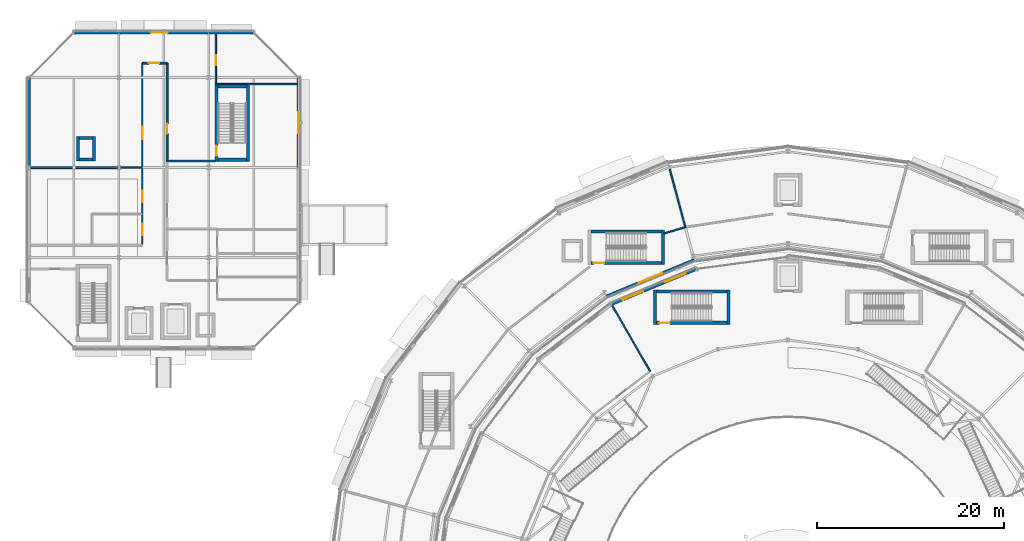
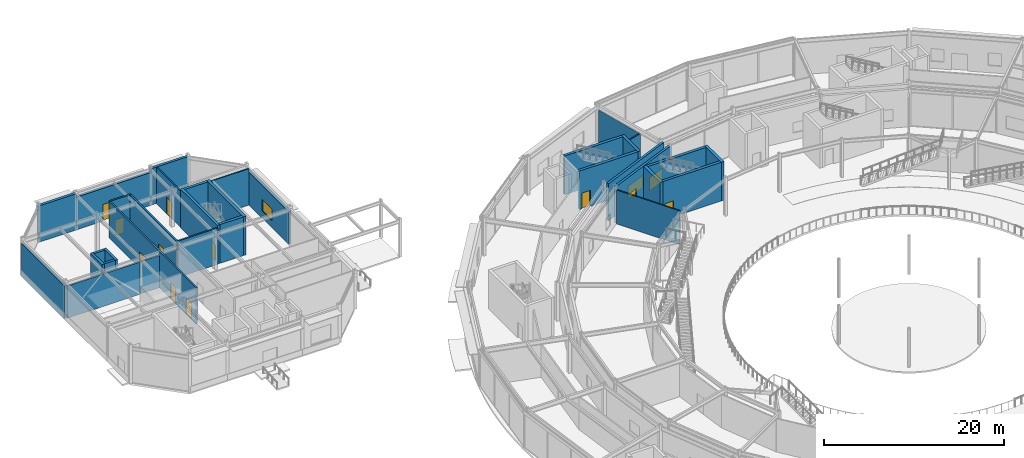
# One storey, part 124 of 168: 33 walls, 10 doors, 4 windows, 14 openings.
"""IFC4 building model written with IfcOpenShell, lengths in metres."""

from ifc_helpers import new_model, si_unit, direction, frame, frame_2d, origin, place, context, subcontext, project, spatial, rectangle, extrude, material, layer, layer_set, type_object, element, fill, save


model = new_model("IFC4")

# Units and contexts
model_context = context("Model", 3, precision=1e-05, world=origin(), true_north=direction((0.0, 1.0)))
body_context = subcontext(model_context, "Body", "Model", "MODEL_VIEW")
ifc_project = project(units=[si_unit("LENGTHUNIT", "METRE"), si_unit("AREAUNIT", "SQUARE_METRE"), si_unit("VOLUMEUNIT", "CUBIC_METRE"), si_unit("PLANEANGLEUNIT", "RADIAN"), si_unit("MASSUNIT", "GRAM", prefix="KILO")], contexts=[model_context])

# Site, building, storey
site_placement = place(None, origin())
site = spatial("IfcSite", under=ifc_project, at=site_placement, CompositionType="ELEMENT")
building_placement = place(site_placement, origin())
building = spatial("IfcBuilding", under=site, at=building_placement, Name="Almandine Court Research Institute", CompositionType="ELEMENT")
storey_placement = place(building_placement, origin())
storey = spatial("IfcBuildingStorey", under=building, at=storey_placement, Name="L00", CompositionType="ELEMENT", Elevation=0.0)

# Walls
ifc_material_1 = material(Name="Air-Sealed Cleanroom Envelope Wall")
ifc_layer_1 = layer(ifc_material_1, 0.324951171875)
ifc_layer_set_1 = layer_set([ifc_layer_1], Name="Air-Sealed Cleanroom Envelope Wall")
wall_type_1 = type_object("IfcWallType", Name="Wall-EXT-CR-325", PredefinedType="SOLIDWALL", material=ifc_layer_set_1)
wall_1_placement = place(storey_placement, frame((6.0, 103.2041015625, 0.0), z_axis=(0.0, 0.0, 1.0), x_axis=(0.0, 1.0, 0.0)))
element("IfcWall", 1, at=wall_1_placement, inside=storey, type_object=wall_type_1, Name="L00 Cleanroom West Wall 3", PredefinedType="SOLIDWALL", context=body_context, shape_type="SweptSolid", body=[
    extrude(rectangle(XDim=9.591796875, YDim=0.324951171875, at=frame_2d((4.7958984375, 0.0))), origin(), (0.0, 0.0, 1.0), 4.444091796875),
])
wall_2_placement = place(storey_placement, frame((10.803955078125, 117.60009765625, 0.0), z_axis=(0.0, 0.0, 1.0), x_axis=(1.0, 0.0, 0.0)))
element("IfcWall", 2, at=wall_2_placement, inside=storey, type_object=wall_type_1, Name="L00 Cleanroom North Wall 1", PredefinedType="SOLIDWALL", context=body_context, shape_type="SweptSolid", body=[
    extrude(rectangle(XDim=4.7919921875, YDim=0.324951171875, at=frame_2d((2.39599609375, 0.0))), origin(), (0.0, 0.0, 1.0), 4.929931640625),
])

# Wall, opening, door
wall_3_placement = place(storey_placement, frame((15.60400390625, 117.60009765625, 0.0), z_axis=(0.0, 0.0, 1.0), x_axis=(1.0, 0.0, 0.0)))
wall_3 = element("IfcWall", 3, at=wall_3_placement, inside=storey, type_object=wall_type_1, Name="L00 Cleanroom North Wall 2", PredefinedType="SOLIDWALL", context=body_context, shape_type="SweptSolid", body=[
    extrude(rectangle(XDim=9.592041015625, YDim=0.324951171875, at=frame_2d((4.7958984375, 0.0))), origin(), (0.0, 0.0, 1.0), 4.444091796875),
])
opening_1_placement = place(wall_3_placement, frame((3.39990234375, 0.0, 0.0)))
opening_1 = element("IfcOpeningElement", 4, at=opening_1_placement, cuts=wall_3, Name="Opening EX-02", PredefinedType="OPENING", context=body_context, shape_type="SweptSolid", body=[
    extrude(rectangle(XDim=1.800048828125, YDim=2.25, at=frame_2d((0.89990234375, 1.125))), frame((0.0, 0.17236328125, 0.0), z_axis=(0.0, -1.0, 0.0), x_axis=(1.0, 0.0, 0.0)), (0.0, 0.0, 1.0), 0.344970703125),
])
ifc_material_2 = material(Name="Anodised Aluminium Exit Discharge Door", Category="aluminium")
door_type_1 = type_object("IfcDoorType", Name="Door-EX-1800", OperationType="DOUBLE_DOOR_SINGLE_SWING", PredefinedType="DOOR", material=ifc_material_2)
door_1_placement = place(opening_1_placement, origin())
door_1 = element("IfcDoor", 5, at=door_1_placement, inside=storey, type_object=door_type_1, Name="L00 Cleanroom North Courtyard Exit Door", OperationType="DOUBLE_DOOR_SINGLE_SWING", OverallHeight=2.25, OverallWidth=1.800048828125, PredefinedType="DOOR", context=body_context, shape_type="SweptSolid", body=[
    extrude(rectangle(XDim=1.800048828125, YDim=2.25, at=frame_2d((0.89990234375, 1.125))), frame((0.0, 0.02490234375, 0.0), z_axis=(0.0, -1.0, 0.0), x_axis=(1.0, 0.0, 0.0)), (0.0, 0.0, 1.0), 0.050048828125),
])
fill(opening_1, door_1)

# Wall
wall_4_placement = place(storey_placement, frame((25.2041015625, 117.60009765625, 0.0), z_axis=(0.0, 0.0, 1.0), x_axis=(1.0, 0.0, 0.0)))
element("IfcWall", 6, at=wall_4_placement, inside=storey, type_object=wall_type_1, Name="L00 Cleanroom North Wall 3", PredefinedType="SOLIDWALL", context=body_context, shape_type="SweptSolid", body=[
    extrude(rectangle(XDim=4.7919921875, YDim=0.324951171875, at=frame_2d((2.39599609375, 0.0))), origin(), (0.0, 0.0, 1.0), 4.929931640625),
])

# Wall, opening, window
wall_5_placement = place(storey_placement, frame((34.800048828125, 112.7958984375, 0.0), z_axis=(0.0, 0.0, 1.0), x_axis=(0.0, -1.0, 0.0)))
wall_5 = element("IfcWall", 7, at=wall_5_placement, inside=storey, type_object=wall_type_1, Name="L00 Cleanroom East Wall 3", PredefinedType="SOLIDWALL", context=body_context, shape_type="SweptSolid", body=[
    extrude(rectangle(XDim=9.591796875, YDim=0.324951171875, at=frame_2d((4.7958984375, 0.0))), origin(), (0.0, 0.0, 1.0), 4.444091796875),
])
opening_2_placement = place(wall_5_placement, frame((3.666015625, 0.0, 0.949951171875)))
opening_2 = element("IfcOpeningElement", 8, at=opening_2_placement, cuts=wall_5, Name="Opening WN-21", PredefinedType="OPENING", context=body_context, shape_type="SweptSolid", body=[
    extrude(rectangle(XDim=2.260009765625, YDim=1.60009765625, at=frame_2d((1.1298828125, 0.800048828125))), frame((0.0, 0.17236328125, 0.0), z_axis=(0.0, -1.0, 0.0), x_axis=(1.0, 0.0, 0.0)), (0.0, 0.0, 1.0), 0.344970703125),
])
ifc_material_3 = material(Name="Thermally Broken Low-E Double-Glazed Window", Category="glass")
window_type_1 = type_object("IfcWindowType", Name="Win-WN-21-2260x1600", PartitioningType="SINGLE_PANEL", PredefinedType="WINDOW", material=ifc_material_3)
window_1_placement = place(opening_2_placement, origin())
window_1 = element("IfcWindow", 9, at=window_1_placement, inside=storey, type_object=window_type_1, Name="L00 Modular Recessed Low-E Window 35", OverallHeight=1.60009765625, OverallWidth=2.260009765625, PartitioningType="SINGLE_PANEL", PredefinedType="WINDOW", context=body_context, shape_type="SweptSolid", body=[
    extrude(rectangle(XDim=2.260009765625, YDim=1.60009765625, at=frame_2d((1.1298828125, 0.800048828125))), frame((0.0, 0.030029296875, 0.0), z_axis=(0.0, -1.0, 0.0), x_axis=(1.0, 0.0, 0.0)), (0.0, 0.0, 1.0), 0.06005859375),
])
fill(opening_2, window_1)

ifc_material_4 = material(Name="Insulated Ochre Terracotta Rainscreen Wall", Category="masonry")
ifc_layer_2 = layer(ifc_material_4, 0.2900390625)
ifc_layer_set_2 = layer_set([ifc_layer_2], Name="Insulated Ochre Terracotta Rainscreen Wall")
wall_type_2 = type_object("IfcWallType", Name="Wall-EXT-TERR-290", PredefinedType="SOLIDWALL", material=ifc_layer_set_2)
wall_6_placement = place(storey_placement, frame((76.988037109375, 93.341064453125, 0.0), z_axis=(0.0, 0.0, 1.0), x_axis=(-0.92385889973, -0.382733240508, 0.0)))
wall_6 = element("IfcWall", 10, at=wall_6_placement, inside=storey, type_object=wall_type_2, Name="L00 Drum Inner Gallery Wall 07", PredefinedType="SOLIDWALL", context=body_context, shape_type="SweptSolid", body=[
    extrude(rectangle(XDim=10.08056640625, YDim=0.2900390625, at=frame_2d((5.040283203125, 0.0))), origin(), (0.0, 0.0, 1.0), 5.070068359375),
])
opening_3_placement = place(wall_6_placement, frame((3.68994140625, 0.0, 0.949951171875)))
opening_3 = element("IfcOpeningElement", 11, at=opening_3_placement, cuts=wall_6, Name="Opening WN-104", PredefinedType="OPENING", context=body_context, shape_type="SweptSolid", body=[
    extrude(rectangle(XDim=2.699951171875, YDim=1.669921875, at=frame_2d((1.35009765625, 0.8349609375))), frame((0.0, 0.155029296875, 0.0), z_axis=(0.0, -1.0, 0.0), x_axis=(1.0, 0.0, 0.0)), (0.0, 0.0, 1.0), 0.31005859375),
])
window_type_2 = type_object("IfcWindowType", Name="Win-WN-104-2700x1670", PartitioningType="SINGLE_PANEL", PredefinedType="WINDOW", material=ifc_material_3)
window_2_placement = place(opening_3_placement, origin())
window_2 = element("IfcWindow", 12, at=window_2_placement, inside=storey, type_object=window_type_2, Name="L00 Modular Recessed Low-E Window 223", OverallHeight=1.669921875, OverallWidth=2.699951171875, PartitioningType="SINGLE_PANEL", PredefinedType="WINDOW", context=body_context, shape_type="SweptSolid", body=[
    extrude(rectangle(XDim=2.699951171875, YDim=1.669921875, at=frame_2d((1.35009765625, 0.8349609375))), frame((0.0, 0.030029296875, 0.0), z_axis=(0.0, -1.0, 0.0), x_axis=(1.0, 0.0, 0.0)), (0.0, 0.0, 1.0), 0.06005859375),
])
fill(opening_3, window_2)

# Wall, openings, windows
wall_7_placement = place(storey_placement, frame((68.178955078125, 88.60693359375, 0.0), z_axis=(0.0, 0.0, 1.0), x_axis=(0.923848052238, 0.382759423628, 0.0)))
wall_7 = element("IfcWall", 13, at=wall_7_placement, inside=storey, type_object=wall_type_2, Name="L00 Interaction Atrium Perimeter Wall 07", PredefinedType="SOLIDWALL", context=body_context, shape_type="SweptSolid", body=[
    extrude(rectangle(XDim=9.82080078125, YDim=0.2900390625, at=frame_2d((4.910400390625, 0.0))), origin(), (0.0, 0.0, 1.0), 5.070068359375),
])
opening_4_placement = place(wall_7_placement, frame((1.27001953125, 0.0, 0.949951171875)))
opening_4 = element("IfcOpeningElement", 14, at=opening_4_placement, cuts=wall_7, Name="Opening WN-89", PredefinedType="OPENING", context=body_context, shape_type="SweptSolid", body=[
    extrude(rectangle(XDim=2.3701171875, YDim=1.800048828125, at=frame_2d((1.18505859375, 0.89990234375))), frame((0.0, 0.155029296875, 0.0), z_axis=(0.0, -1.0, 0.0), x_axis=(1.0, 0.0, 0.0)), (0.0, 0.0, 1.0), 0.31005859375),
])
opening_5_placement = place(wall_7_placement, frame((6.180908203125, 0.0, 0.949951171875)))
opening_5 = element("IfcOpeningElement", 15, at=opening_5_placement, cuts=wall_7, Name="Opening WN-89", PredefinedType="OPENING", context=body_context, shape_type="SweptSolid", body=[
    extrude(rectangle(XDim=2.3701171875, YDim=1.800048828125, at=frame_2d((1.18505859375, 0.89990234375))), frame((0.0, 0.155029296875, 0.0), z_axis=(0.0, -1.0, 0.0), x_axis=(1.0, 0.0, 0.0)), (0.0, 0.0, 1.0), 0.31005859375),
])
window_type_3 = type_object("IfcWindowType", Name="Win-WN-89-2370x1800", PartitioningType="SINGLE_PANEL", PredefinedType="WINDOW", material=ifc_material_3)
window_3_placement = place(opening_4_placement, origin())
window_3 = element("IfcWindow", 16, at=window_3_placement, inside=storey, type_object=window_type_3, Name="L00 Modular Recessed Low-E Window 318", OverallHeight=1.800048828125, OverallWidth=2.3701171875, PartitioningType="SINGLE_PANEL", PredefinedType="WINDOW", context=body_context, shape_type="SweptSolid", body=[
    extrude(rectangle(XDim=2.3701171875, YDim=1.800048828125, at=frame_2d((1.18505859375, 0.89990234375))), frame((0.0, 0.030029296875, 0.0), z_axis=(0.0, -1.0, 0.0), x_axis=(1.0, 0.0, 0.0)), (0.0, 0.0, 1.0), 0.06005859375),
])
fill(opening_4, window_3)
window_4_placement = place(opening_5_placement, origin())
window_4 = element("IfcWindow", 17, at=window_4_placement, inside=storey, type_object=window_type_3, Name="L00 Modular Recessed Low-E Window 319", OverallHeight=1.800048828125, OverallWidth=2.3701171875, PartitioningType="SINGLE_PANEL", PredefinedType="WINDOW", context=body_context, shape_type="SweptSolid", body=[
    extrude(rectangle(XDim=2.3701171875, YDim=1.800048828125, at=frame_2d((1.18505859375, 0.89990234375))), frame((0.0, 0.030029296875, 0.0), z_axis=(0.0, -1.0, 0.0), x_axis=(1.0, 0.0, 0.0)), (0.0, 0.0, 1.0), 0.06005859375),
])
fill(opening_5, window_4)

# Walls
ifc_material_5 = material(Name="Two-Hour Fire-Barrier Enclosure Wall")
ifc_layer_3 = layer(ifc_material_5, 0.199951171875)
ifc_layer_set_3 = layer_set([ifc_layer_3], Name="Two-Hour Fire-Barrier Enclosure Wall")
wall_type_3 = type_object("IfcWallType", Name="Wall-FIRE-200", PredefinedType="SOLIDWALL", material=ifc_layer_set_3)
wall_8_placement = place(storey_placement, frame((6.159912109375, 103.199951171875, 0.0), z_axis=(0.0, 0.0, 1.0), x_axis=(1.0, 0.0, 0.0)))
element("IfcWall", 18, at=wall_8_placement, inside=storey, type_object=wall_type_3, Name="L00 Interior Partition W-BF-V3-BF1-L00", PredefinedType="SOLIDWALL", context=body_context, shape_type="SweptSolid", body=[
    extrude(rectangle(XDim=9.280029296875, YDim=0.199951171875, at=frame_2d((4.64013671875, 0.0))), origin(), (0.0, 0.0, 1.0), 4.3759765625),
])
wall_9_placement = place(storey_placement, frame((20.75, 103.89990234375, 0.0), z_axis=(0.0, 0.0, 1.0), x_axis=(1.0, 0.0, 0.0)))
element("IfcWall", 19, at=wall_9_placement, inside=storey, type_object=wall_type_3, Name="L00 Interior Partition W-EP-ST06-S2", PredefinedType="SOLIDWALL", context=body_context, shape_type="SweptSolid", body=[
    extrude(rectangle(XDim=5.14990234375, YDim=0.199951171875, at=frame_2d((2.574951171875, 0.0))), origin(), (0.0, 0.0, 1.0), 4.929931640625),
])

# Wall, opening, door
wall_10_placement = place(storey_placement, frame((20.75, 103.89990234375, 0.0), z_axis=(0.0, 0.0, 1.0), x_axis=(0.0, 1.0, 0.0)))
wall_10 = element("IfcWall", 20, at=wall_10_placement, inside=storey, type_object=wall_type_3, Name="L00 Interior Partition W-EP-ST06-W", PredefinedType="SOLIDWALL", context=body_context, shape_type="SweptSolid", body=[
    extrude(rectangle(XDim=10.4501953125, YDim=0.199951171875, at=frame_2d((5.22509765625, 0.0))), origin(), (0.0, 0.0, 1.0), 4.929931640625),
])
opening_6_placement = place(wall_10_placement, frame((2.89990234375, 0.0, 0.0)))
opening_6 = element("IfcOpeningElement", 21, at=opening_6_placement, cuts=wall_10, Name="Opening FD-FFL", PredefinedType="OPENING", context=body_context, shape_type="SweptSolid", body=[
    extrude(rectangle(XDim=1.10009765625, YDim=2.14990234375, at=frame_2d((0.550048828125, 1.074951171875))), frame((0.0, 0.10986328125, 0.0), z_axis=(0.0, -1.0, 0.0), x_axis=(1.0, 0.0, 0.0)), (0.0, 0.0, 1.0), 0.219970703125),
])
ifc_material_6 = material(Name="Smoke-Tight Firefighting Lobby Fire Door")
door_type_2 = type_object("IfcDoorType", Name="Door-FD-FFL-1100", OperationType="NOTDEFINED", PredefinedType="DOOR", material=ifc_material_6)
door_2_placement = place(opening_6_placement, origin())
door_2 = element("IfcDoor", 22, at=door_2_placement, inside=storey, type_object=door_type_2, Name="L00 ST-06 Exit Passageway Fire Door", OperationType="SINGLE_SWING_RIGHT", OverallHeight=2.14990234375, OverallWidth=1.10009765625, PredefinedType="DOOR", context=body_context, shape_type="SweptSolid", body=[
    extrude(rectangle(XDim=1.10009765625, YDim=2.14990234375, at=frame_2d((0.550048828125, 1.074951171875))), frame((0.0, 0.02490234375, 0.0), z_axis=(0.0, -1.0, 0.0), x_axis=(1.0, 0.0, 0.0)), (0.0, 0.0, 1.0), 0.050048828125),
])
fill(opening_6, door_2)

wall_11_placement = place(storey_placement, frame((18.10009765625, 114.35009765625, 0.0), z_axis=(0.0, 0.0, 1.0), x_axis=(1.0, 0.0, 0.0)))
wall_11 = element("IfcWall", 23, at=wall_11_placement, inside=storey, type_object=wall_type_3, Name="L00 Interior Partition W-EP-ST06-S", PredefinedType="SOLIDWALL", context=body_context, shape_type="SweptSolid", body=[
    extrude(rectangle(XDim=2.64990234375, YDim=0.199951171875, at=frame_2d((1.324951171875, 0.0))), origin(), (0.0, 0.0, 1.0), 4.929931640625),
])
opening_7_placement = place(wall_11_placement, frame((0.699951171875, 0.0, 0.0)))
opening_7 = element("IfcOpeningElement", 24, at=opening_7_placement, cuts=wall_11, Name="Opening FD-FFL", PredefinedType="OPENING", context=body_context, shape_type="SweptSolid", body=[
    extrude(rectangle(XDim=1.10009765625, YDim=2.14990234375, at=frame_2d((0.550048828125, 1.074951171875))), frame((0.0, 0.10986328125, 0.0), z_axis=(0.0, -1.0, 0.0), x_axis=(1.0, 0.0, 0.0)), (0.0, 0.0, 1.0), 0.219970703125),
])
door_3_placement = place(opening_7_placement, origin())
door_3 = element("IfcDoor", 25, at=door_3_placement, inside=storey, type_object=door_type_2, Name="L00 ST-06 North Exit Vestibule Fire Door", OperationType="SINGLE_SWING_LEFT", OverallHeight=2.14990234375, OverallWidth=1.10009765625, PredefinedType="DOOR", context=body_context, shape_type="SweptSolid", body=[
    extrude(rectangle(XDim=1.10009765625, YDim=2.14990234375, at=frame_2d((0.550048828125, 1.074951171875))), frame((0.0, 0.02490234375, 0.0), z_axis=(0.0, -1.0, 0.0), x_axis=(1.0, 0.0, 0.0)), (0.0, 0.0, 1.0), 0.050048828125),
])
fill(opening_7, door_3)

# Wall, openings, doors
wall_12_placement = place(storey_placement, frame((18.10009765625, 95.0, 0.0), z_axis=(0.0, 0.0, 1.0), x_axis=(0.0, 1.0, 0.0)))
wall_12 = element("IfcWall", 26, at=wall_12_placement, inside=storey, type_object=wall_type_3, Name="L00 Interior Partition W-V3-L00-CW", PredefinedType="SOLIDWALL", context=body_context, shape_type="SweptSolid", body=[
    extrude(rectangle(XDim=19.35009765625, YDim=0.199951171875, at=frame_2d((9.675048828125, 0.0))), origin(), (0.0, 0.0, 1.0), 4.929931640625),
])
opening_8_placement = place(wall_12_placement, frame((1.0, 0.0, 0.0)))
opening_8 = element("IfcOpeningElement", 27, at=opening_8_placement, cuts=wall_12, Name="Opening FD-LAB", PredefinedType="OPENING", context=body_context, shape_type="SweptSolid", body=[
    extrude(rectangle(XDim=1.199951171875, YDim=2.199951171875, at=frame_2d((0.60009765625, 1.10009765625))), frame((0.0, 0.10986328125, 0.0), z_axis=(0.0, -1.0, 0.0), x_axis=(1.0, 0.0, 0.0)), (0.0, 0.0, 1.0), 0.219970703125),
])
opening_9_placement = place(wall_12_placement, frame((4.5, 0.0, 0.0)))
opening_9 = element("IfcOpeningElement", 28, at=opening_9_placement, cuts=wall_12, Name="Opening FD-LAB", PredefinedType="OPENING", context=body_context, shape_type="SweptSolid", body=[
    extrude(rectangle(XDim=1.199951171875, YDim=2.199951171875, at=frame_2d((0.60009765625, 1.10009765625))), frame((0.0, 0.10986328125, 0.0), z_axis=(0.0, -1.0, 0.0), x_axis=(1.0, 0.0, 0.0)), (0.0, 0.0, 1.0), 0.219970703125),
])
opening_10_placement = place(wall_12_placement, frame((11.199951171875, 0.0, 0.0)))
opening_10 = element("IfcOpeningElement", 29, at=opening_10_placement, cuts=wall_12, Name="Opening FD-LB2", PredefinedType="OPENING", context=body_context, shape_type="SweptSolid", body=[
    extrude(rectangle(XDim=1.35009765625, YDim=2.199951171875, at=frame_2d((0.675048828125, 1.10009765625))), frame((0.0, 0.10986328125, 0.0), z_axis=(0.0, -1.0, 0.0), x_axis=(1.0, 0.0, 0.0)), (0.0, 0.0, 1.0), 0.219970703125),
])
ifc_material_7 = material(Name="Fire-Rated Laboratory Containment Door")
door_type_3 = type_object("IfcDoorType", Name="Door-FD-LAB-1200", OperationType="NOTDEFINED", PredefinedType="DOOR", material=ifc_material_7)
door_4_placement = place(opening_8_placement, origin())
door_4 = element("IfcDoor", 30, at=door_4_placement, inside=storey, type_object=door_type_3, Name="L00 Gowning Airlock Interlock Door", OperationType="SINGLE_SWING_RIGHT", OverallHeight=2.199951171875, OverallWidth=1.199951171875, PredefinedType="DOOR", context=body_context, shape_type="SweptSolid", body=[
    extrude(rectangle(XDim=1.199951171875, YDim=2.199951171875, at=frame_2d((0.60009765625, 1.10009765625))), frame((0.0, 0.02490234375, 0.0), z_axis=(0.0, -1.0, 0.0), x_axis=(1.0, 0.0, 0.0)), (0.0, 0.0, 1.0), 0.050048828125),
])
fill(opening_8, door_4)
door_5_placement = place(opening_9_placement, origin())
door_5 = element("IfcDoor", 31, at=door_5_placement, inside=storey, type_object=door_type_3, Name="L00 ISO 5 Clean Room Door", OperationType="SINGLE_SWING_LEFT", OverallHeight=2.199951171875, OverallWidth=1.199951171875, PredefinedType="DOOR", context=body_context, shape_type="SweptSolid", body=[
    extrude(rectangle(XDim=1.199951171875, YDim=2.199951171875, at=frame_2d((0.60009765625, 1.10009765625))), frame((0.0, 0.02490234375, 0.0), z_axis=(0.0, -1.0, 0.0), x_axis=(1.0, 0.0, 0.0)), (0.0, 0.0, 1.0), 0.050048828125),
])
fill(opening_9, door_5)
ifc_material_8 = material(Name="Wide Fire-Rated Cleanroom and Lab Door")
door_type_4 = type_object("IfcDoorType", Name="Door-FD-LAB-1350", OperationType="NOTDEFINED", PredefinedType="DOOR", material=ifc_material_8)
door_6_placement = place(opening_10_placement, origin())
door_6 = element("IfcDoor", 32, at=door_6_placement, inside=storey, type_object=door_type_4, Name="L00 ISO 6 Clean Room Door", OperationType="SINGLE_SWING_RIGHT", OverallHeight=2.199951171875, OverallWidth=1.35009765625, PredefinedType="DOOR", context=body_context, shape_type="SweptSolid", body=[
    extrude(rectangle(XDim=1.35009765625, YDim=2.199951171875, at=frame_2d((0.675048828125, 1.10009765625))), frame((0.0, 0.02490234375, 0.0), z_axis=(0.0, -1.0, 0.0), x_axis=(1.0, 0.0, 0.0)), (0.0, 0.0, 1.0), 0.050048828125),
])
fill(opening_10, door_6)

# Wall, opening, door
ifc_material_9 = material(Name="Acoustic Steel-Stud Gypsum Partition Wall", Category="steel")
ifc_layer_4 = layer(ifc_material_9, 0.14990234375)
ifc_layer_set_4 = layer_set([ifc_layer_4], Name="Acoustic Steel-Stud Gypsum Partition Wall")
wall_type_4 = type_object("IfcWallType", Name="Wall-PART-150", PredefinedType="PARTITIONING", material=ifc_layer_set_4)
wall_13_placement = place(storey_placement, frame((25.949951171875, 112.10009765625, 0.0), z_axis=(0.0, 0.0, 1.0), x_axis=(0.0, 1.0, 0.0)))
wall_13 = element("IfcWall", 33, at=wall_13_placement, inside=storey, type_object=wall_type_4, Name="L00 Interior Partition W-V3-L00-CAL", PredefinedType="PARTITIONING", context=body_context, shape_type="SweptSolid", body=[
    extrude(rectangle(XDim=5.33984375, YDim=0.14990234375, at=frame_2d((2.669921875, 0.0))), origin(), (0.0, 0.0, 1.0), 4.929931640625),
])
opening_11_placement = place(wall_13_placement, frame((2.0, 0.0, 0.0)))
opening_11 = element("IfcOpeningElement", 34, at=opening_11_placement, cuts=wall_13, Name="Opening D-03", PredefinedType="OPENING", context=body_context, shape_type="SweptSolid", body=[
    extrude(rectangle(XDim=1.10009765625, YDim=2.199951171875, at=frame_2d((0.550048828125, 1.10009765625))), frame((0.0, 0.0849609375, 0.0), z_axis=(0.0, -1.0, 0.0), x_axis=(1.0, 0.0, 0.0)), (0.0, 0.0, 1.0), 0.169921875),
])
ifc_material_10 = material(Name="Acoustic Vision-Panel Seminar Door")
door_type_5 = type_object("IfcDoorType", Name="Door-INT-1100", OperationType="NOTDEFINED", PredefinedType="DOOR", material=ifc_material_10)
door_7_placement = place(opening_11_placement, origin())
door_7 = element("IfcDoor", 35, at=door_7_placement, inside=storey, type_object=door_type_5, Name="L00 Calibration Suite Door", OperationType="SINGLE_SWING_LEFT", OverallHeight=2.199951171875, OverallWidth=1.10009765625, PredefinedType="DOOR", context=body_context, shape_type="SweptSolid", body=[
    extrude(rectangle(XDim=1.10009765625, YDim=2.199951171875, at=frame_2d((0.550048828125, 1.10009765625))), frame((0.0, 0.02490234375, 0.0), z_axis=(0.0, -1.0, 0.0), x_axis=(1.0, 0.0, 0.0)), (0.0, 0.0, 1.0), 0.050048828125),
])
fill(opening_11, door_7)

# Walls
wall_14_placement = place(storey_placement, frame((25.949951171875, 112.10009765625, 0.0), z_axis=(0.0, 0.0, 1.0), x_axis=(1.0, 0.0, 0.0)))
element("IfcWall", 36, at=wall_14_placement, inside=storey, type_object=wall_type_4, Name="L00 Interior Partition W-V3-L00-CALS", PredefinedType="PARTITIONING", context=body_context, shape_type="SweptSolid", body=[
    extrude(rectangle(XDim=8.68994140625, YDim=0.14990234375, at=frame_2d((4.344970703125, 0.0))), origin(), (0.0, 0.0, 1.0), 4.929931640625),
])
wall_15_placement = place(storey_placement, frame((15.550048828125, 103.199951171875, 0.0), z_axis=(0.0, 0.0, 1.0), x_axis=(1.0, 0.0, 0.0)))
element("IfcWall", 37, at=wall_15_placement, inside=storey, type_object=wall_type_4, Name="L00 Interior Partition W-V3-L00-SPLIT", PredefinedType="PARTITIONING", context=body_context, shape_type="SweptSolid", body=[
    extrude(rectangle(XDim=2.550048828125, YDim=0.14990234375, at=frame_2d((1.27490234375, 0.0))), origin(), (0.0, 0.0, 1.0), 4.3759765625),
])
wall_16_placement = place(storey_placement, frame((76.056884765625, 96.839111328125, 0.0), z_axis=(0.0, 0.0, 1.0), x_axis=(-0.95838508169, -0.285478607244, 0.0)))
element("IfcWall", 38, at=wall_16_placement, inside=storey, type_object=wall_type_4, Name="L00 Interior Partition W-V5-L00-CHD-07", PredefinedType="PARTITIONING", context=body_context, shape_type="SweptSolid", body=[
    extrude(rectangle(XDim=2.361083984375, YDim=0.14990234375, at=frame_2d((1.1806640625, 0.0))), origin(), (0.0, 0.0, 1.0), 4.43798828125),
])
wall_17_placement = place(storey_placement, frame((76.056884765625, 96.839111328125, 0.0), z_axis=(0.0, 0.0, 1.0), x_axis=(-0.258832719409, 0.965922162166, 0.0)))
element("IfcWall", 39, at=wall_17_placement, inside=storey, type_object=wall_type_4, Name="L00 Interior Partition W-V5-L00-RAD-07", PredefinedType="PARTITIONING", context=body_context, shape_type="SweptSolid", body=[
    extrude(rectangle(XDim=6.4404296875, YDim=0.14990234375, at=frame_2d((3.22021484375, 0.0))), origin(), (0.0, 0.0, 1.0), 4.43798828125),
])
wall_18_placement = place(storey_placement, frame((72.300048828125, 81.4609375, 0.0), z_axis=(0.0, 0.0, 1.0), x_axis=(-0.499973530083, 0.866040685659, 0.0)))
element("IfcWall", 40, at=wall_18_placement, inside=storey, type_object=wall_type_4, Name="L00 Interior Partition W-V2-L00-RAD-08", PredefinedType="PARTITIONING", context=body_context, shape_type="SweptSolid", body=[
    extrude(rectangle(XDim=8.08056640625, YDim=0.14990234375, at=frame_2d((4.040283203125, 0.0))), origin(), (0.0, 0.0, 1.0), 4.597900390625),
])
ifc_material_11 = material(Name="Concrete C40/50", Category="concrete")
ifc_layer_5 = layer(ifc_material_11, 0.300048828125)
ifc_layer_set_5 = layer_set([ifc_layer_5], Name="Concrete C40/50")
wall_type_5 = type_object("IfcWallType", Name="Wall-SW-CORE-300", PredefinedType="SHEAR", material=ifc_layer_set_5)
wall_19_placement = place(storey_placement, frame((11.25, 103.89990234375, 0.0), z_axis=(0.0, 0.0, 1.0), x_axis=(0.0, 1.0, 0.0)))
element("IfcWall", 41, at=wall_19_placement, inside=storey, type_object=wall_type_5, Name="L00 MEP Riser RS-V3B W Shear Wall", PredefinedType="SHEAR", context=body_context, shape_type="SweptSolid", body=[
    extrude(rectangle(XDim=2.60009765625, YDim=0.300048828125, at=frame_2d((1.300048828125, 0.0))), origin(), (0.0, 0.0, 1.0), 5.070068359375),
])
wall_20_placement = place(storey_placement, frame((11.39990234375, 106.35009765625, 0.0), z_axis=(0.0, 0.0, 1.0), x_axis=(1.0, 0.0, 0.0)))
element("IfcWall", 42, at=wall_20_placement, inside=storey, type_object=wall_type_5, Name="L00 MEP Riser RS-V3B N Shear Wall", PredefinedType="SHEAR", context=body_context, shape_type="SweptSolid", body=[
    extrude(rectangle(XDim=1.400146484375, YDim=0.300048828125, at=frame_2d((0.7001953125, 0.0))), origin(), (0.0, 0.0, 1.0), 5.070068359375),
])
wall_21_placement = place(storey_placement, frame((12.949951171875, 106.5, 0.0), z_axis=(0.0, 0.0, 1.0), x_axis=(0.0, -1.0, 0.0)))
element("IfcWall", 43, at=wall_21_placement, inside=storey, type_object=wall_type_5, Name="L00 MEP Riser RS-V3B E Shear Wall", PredefinedType="SHEAR", context=body_context, shape_type="SweptSolid", body=[
    extrude(rectangle(XDim=2.60009765625, YDim=0.300048828125, at=frame_2d((1.300048828125, 0.0))), origin(), (0.0, 0.0, 1.0), 5.070068359375),
])
wall_22_placement = place(storey_placement, frame((12.800048828125, 104.050048828125, 0.0), z_axis=(0.0, 0.0, 1.0), x_axis=(-1.0, 0.0, 0.0)))
element("IfcWall", 44, at=wall_22_placement, inside=storey, type_object=wall_type_5, Name="L00 MEP Riser RS-V3B S Shear Wall", PredefinedType="SHEAR", context=body_context, shape_type="SweptSolid", body=[
    extrude(rectangle(XDim=1.400146484375, YDim=0.300048828125, at=frame_2d((0.7001953125, 0.0))), origin(), (0.0, 0.0, 1.0), 5.070068359375),
])
ifc_layer_6 = layer(ifc_material_11, 0.35009765625)
ifc_layer_set_6 = layer_set([ifc_layer_6], Name="Concrete C40/50")
wall_type_6 = type_object("IfcWallType", Name="Wall-SW-CORE-350", PredefinedType="SHEAR", material=ifc_layer_set_6)
wall_23_placement = place(storey_placement, frame((72.824951171875, 86.449951171875, 0.0), z_axis=(0.0, 0.0, 1.0), x_axis=(0.0, 1.0, 0.0)))
element("IfcWall", 45, at=wall_23_placement, inside=storey, type_object=wall_type_6, Name="L00 ST-04 W Shear Wall", PredefinedType="SHEAR", context=body_context, shape_type="SweptSolid", body=[
    extrude(rectangle(XDim=3.699951171875, YDim=0.35009765625, at=frame_2d((1.85009765625, 0.0))), origin(), (0.0, 0.0, 1.0), 5.25),
])
wall_24_placement = place(storey_placement, frame((73.0, 89.97509765625, 0.0), z_axis=(0.0, 0.0, 1.0), x_axis=(1.0, 0.0, 0.0)))
element("IfcWall", 46, at=wall_24_placement, inside=storey, type_object=wall_type_6, Name="L00 ST-04 N Shear Wall", PredefinedType="SHEAR", context=body_context, shape_type="SweptSolid", body=[
    extrude(rectangle(XDim=7.5, YDim=0.35009765625, at=frame_2d((3.75, 0.0))), origin(), (0.0, 0.0, 1.0), 5.25),
])
wall_25_placement = place(storey_placement, frame((80.675048828125, 90.14990234375, 0.0), z_axis=(0.0, 0.0, 1.0), x_axis=(0.0, -1.0, 0.0)))
element("IfcWall", 47, at=wall_25_placement, inside=storey, type_object=wall_type_6, Name="L00 ST-04 E Shear Wall", PredefinedType="SHEAR", context=body_context, shape_type="SweptSolid", body=[
    extrude(rectangle(XDim=3.699951171875, YDim=0.35009765625, at=frame_2d((1.85009765625, 0.0))), origin(), (0.0, 0.0, 1.0), 5.25),
])

# Wall, opening, door
wall_26_placement = place(storey_placement, frame((80.5, 86.625, 0.0), z_axis=(0.0, 0.0, 1.0), x_axis=(-1.0, 0.0, 0.0)))
wall_26 = element("IfcWall", 48, at=wall_26_placement, inside=storey, type_object=wall_type_6, Name="L00 ST-04 S Shear Wall", PredefinedType="SHEAR", context=body_context, shape_type="SweptSolid", body=[
    extrude(rectangle(XDim=7.5, YDim=0.35009765625, at=frame_2d((3.75, 0.0))), origin(), (0.0, 0.0, 1.0), 5.25),
])
opening_12_placement = place(wall_26_placement, frame((6.10009765625, 0.0, 0.0)))
opening_12 = element("IfcOpeningElement", 49, at=opening_12_placement, cuts=wall_26, Name="Opening FD-STAIR", PredefinedType="OPENING", context=body_context, shape_type="SweptSolid", body=[
    extrude(rectangle(XDim=1.10009765625, YDim=2.14990234375, at=frame_2d((0.550048828125, 1.074951171875))), frame((0.0, 0.18505859375, 0.0), z_axis=(0.0, -1.0, 0.0), x_axis=(1.0, 0.0, 0.0)), (0.0, 0.0, 1.0), 0.3701171875),
])
ifc_material_12 = material(Name="Self-Closing Steel Exit Stair Fire Door", Category="steel")
door_type_6 = type_object("IfcDoorType", Name="Door-FD-STAIR-1100", OperationType="NOTDEFINED", PredefinedType="DOOR", material=ifc_material_12)
door_8_placement = place(opening_12_placement, origin())
door_8 = element("IfcDoor", 50, at=door_8_placement, inside=storey, type_object=door_type_6, Name="L00 Exit Stair ST-04 Fire Door", OperationType="SINGLE_SWING_RIGHT", OverallHeight=2.14990234375, OverallWidth=1.10009765625, PredefinedType="DOOR", context=body_context, shape_type="SweptSolid", body=[
    extrude(rectangle(XDim=1.10009765625, YDim=2.14990234375, at=frame_2d((0.550048828125, 1.074951171875))), frame((0.0, 0.02490234375, 0.0), z_axis=(0.0, -1.0, 0.0), x_axis=(1.0, 0.0, 0.0)), (0.0, 0.0, 1.0), 0.050048828125),
])
fill(opening_12, door_8)

wall_27_placement = place(storey_placement, frame((26.02490234375, 103.85009765625, 0.0), z_axis=(0.0, 0.0, 1.0), x_axis=(0.0, 1.0, 0.0)))
wall_27 = element("IfcWall", 51, at=wall_27_placement, inside=storey, type_object=wall_type_6, Name="L00 ST-06 W Shear Wall", PredefinedType="SHEAR", context=body_context, shape_type="SweptSolid", body=[
    extrude(rectangle(XDim=8.199951171875, YDim=0.35009765625, at=frame_2d((4.10009765625, 0.0))), origin(), (0.0, 0.0, 1.0), 5.25),
])
opening_13_placement = place(wall_27_placement, frame((0.60009765625, 0.0, 0.0)))
opening_13 = element("IfcOpeningElement", 52, at=opening_13_placement, cuts=wall_27, Name="Opening FD-STAIR", PredefinedType="OPENING", context=body_context, shape_type="SweptSolid", body=[
    extrude(rectangle(XDim=1.10009765625, YDim=2.14990234375, at=frame_2d((0.550048828125, 1.074951171875))), frame((0.0, 0.18505859375, 0.0), z_axis=(0.0, -1.0, 0.0), x_axis=(1.0, 0.0, 0.0)), (0.0, 0.0, 1.0), 0.3701171875),
])
door_9_placement = place(opening_13_placement, origin())
door_9 = element("IfcDoor", 53, at=door_9_placement, inside=storey, type_object=door_type_6, Name="L00 Exit Stair ST-06 Fire Door", OperationType="SINGLE_SWING_LEFT", OverallHeight=2.14990234375, OverallWidth=1.10009765625, PredefinedType="DOOR", context=body_context, shape_type="SweptSolid", body=[
    extrude(rectangle(XDim=1.10009765625, YDim=2.14990234375, at=frame_2d((0.550048828125, 1.074951171875))), frame((0.0, 0.02490234375, 0.0), z_axis=(0.0, -1.0, 0.0), x_axis=(1.0, 0.0, 0.0)), (0.0, 0.0, 1.0), 0.050048828125),
])
fill(opening_13, door_9)

# Walls
wall_28_placement = place(storey_placement, frame((26.199951171875, 111.875, 0.0), z_axis=(0.0, 0.0, 1.0), x_axis=(1.0, 0.0, 0.0)))
element("IfcWall", 54, at=wall_28_placement, inside=storey, type_object=wall_type_6, Name="L00 ST-06 N Shear Wall", PredefinedType="SHEAR", context=body_context, shape_type="SweptSolid", body=[
    extrude(rectangle(XDim=3.0, YDim=0.35009765625, at=frame_2d((1.5, 0.0))), origin(), (0.0, 0.0, 1.0), 5.25),
])
wall_29_placement = place(storey_placement, frame((29.375, 112.050048828125, 0.0), z_axis=(0.0, 0.0, 1.0), x_axis=(0.0, -1.0, 0.0)))
element("IfcWall", 55, at=wall_29_placement, inside=storey, type_object=wall_type_6, Name="L00 ST-06 E Shear Wall", PredefinedType="SHEAR", context=body_context, shape_type="SweptSolid", body=[
    extrude(rectangle(XDim=8.199951171875, YDim=0.35009765625, at=frame_2d((4.10009765625, 0.0))), origin(), (0.0, 0.0, 1.0), 5.25),
])
wall_30_placement = place(storey_placement, frame((29.199951171875, 104.02490234375, 0.0), z_axis=(0.0, 0.0, 1.0), x_axis=(-1.0, 0.0, 0.0)))
element("IfcWall", 56, at=wall_30_placement, inside=storey, type_object=wall_type_6, Name="L00 ST-06 S Shear Wall", PredefinedType="SHEAR", context=body_context, shape_type="SweptSolid", body=[
    extrude(rectangle(XDim=3.0, YDim=0.35009765625, at=frame_2d((1.5, 0.0))), origin(), (0.0, 0.0, 1.0), 5.25),
])
wall_31_placement = place(storey_placement, frame((66.0, 96.375, 0.0), z_axis=(0.0, 0.0, 1.0), x_axis=(1.0, 0.0, 0.0)))
element("IfcWall", 57, at=wall_31_placement, inside=storey, type_object=wall_type_6, Name="L00 ST-10 N Shear Wall", PredefinedType="SHEAR", context=body_context, shape_type="SweptSolid", body=[
    extrude(rectangle(XDim=7.5, YDim=0.35009765625, at=frame_2d((3.75, 0.0))), origin(), (0.0, 0.0, 1.0), 5.25),
])
wall_32_placement = place(storey_placement, frame((73.675048828125, 96.550048828125, 0.0), z_axis=(0.0, 0.0, 1.0), x_axis=(0.0, -1.0, 0.0)))
element("IfcWall", 58, at=wall_32_placement, inside=storey, type_object=wall_type_6, Name="L00 ST-10 E Shear Wall", PredefinedType="SHEAR", context=body_context, shape_type="SweptSolid", body=[
    extrude(rectangle(XDim=3.699951171875, YDim=0.35009765625, at=frame_2d((1.85009765625, 0.0))), origin(), (0.0, 0.0, 1.0), 5.25),
])

# Wall, opening, door
wall_33_placement = place(storey_placement, frame((73.5, 93.02490234375, 0.0), z_axis=(0.0, 0.0, 1.0), x_axis=(-1.0, 0.0, 0.0)))
wall_33 = element("IfcWall", 59, at=wall_33_placement, inside=storey, type_object=wall_type_6, Name="L00 ST-10 S Shear Wall", PredefinedType="SHEAR", context=body_context, shape_type="SweptSolid", body=[
    extrude(rectangle(XDim=7.5, YDim=0.35009765625, at=frame_2d((3.75, 0.0))), origin(), (0.0, 0.0, 1.0), 5.25),
])
opening_14_placement = place(wall_33_placement, frame((6.10009765625, 0.0, 0.0)))
opening_14 = element("IfcOpeningElement", 60, at=opening_14_placement, cuts=wall_33, Name="Opening FD-STAIR", PredefinedType="OPENING", context=body_context, shape_type="SweptSolid", body=[
    extrude(rectangle(XDim=1.10009765625, YDim=2.14990234375, at=frame_2d((0.550048828125, 1.074951171875))), frame((0.0, 0.18505859375, 0.0), z_axis=(0.0, -1.0, 0.0), x_axis=(1.0, 0.0, 0.0)), (0.0, 0.0, 1.0), 0.3701171875),
])
door_10_placement = place(opening_14_placement, origin())
door_10 = element("IfcDoor", 61, at=door_10_placement, inside=storey, type_object=door_type_6, Name="L00 Exit Stair ST-10 Fire Door", OperationType="SINGLE_SWING_RIGHT", OverallHeight=2.14990234375, OverallWidth=1.10009765625, PredefinedType="DOOR", context=body_context, shape_type="SweptSolid", body=[
    extrude(rectangle(XDim=1.10009765625, YDim=2.14990234375, at=frame_2d((0.550048828125, 1.074951171875))), frame((0.0, 0.02490234375, 0.0), z_axis=(0.0, -1.0, 0.0), x_axis=(1.0, 0.0, 0.0)), (0.0, 0.0, 1.0), 0.050048828125),
])
fill(opening_14, door_10)

save(model, "model.ifc")
